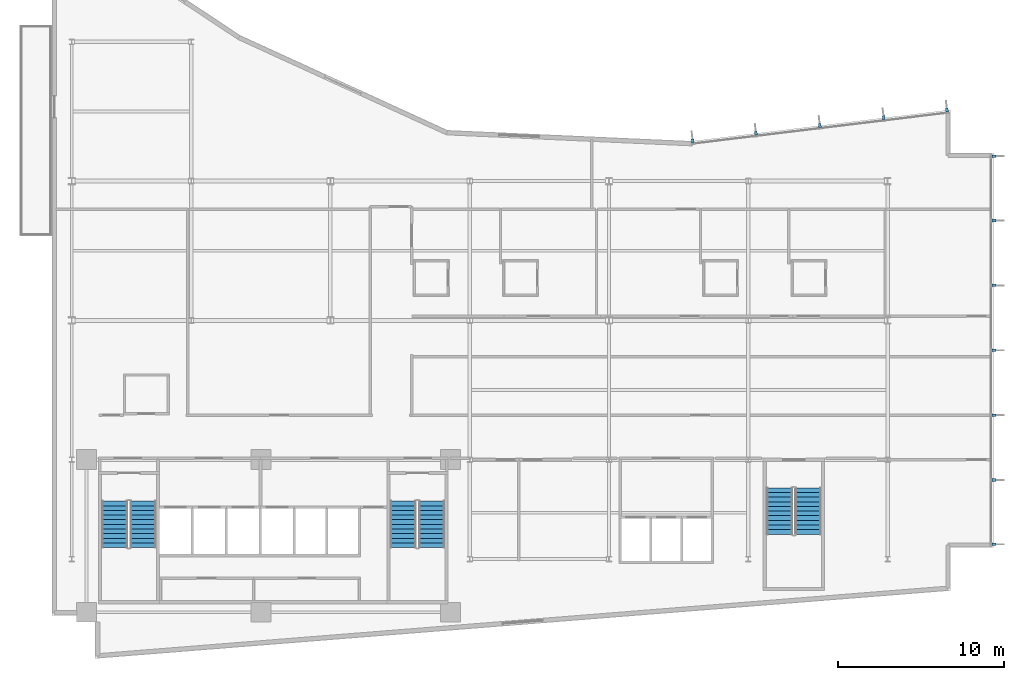
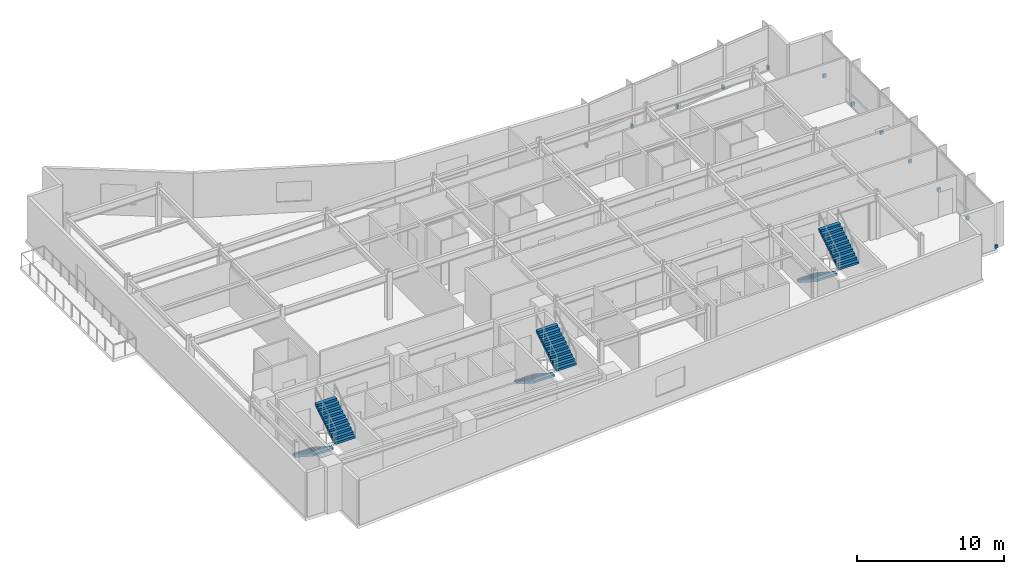
# One storey, part 13 of 18: 12 discrete accessories, 6 stair flights, 3 elements without a shape of their own.
"""IFC4 building model written with IfcOpenShell, lengths in metres."""

from ifc_helpers import new_model, si_unit, direction, frame, origin, origin_2d, place, context, subcontext, project, spatial, polyline, rectangle, outline, extrude, material, layer, layer_set, type_object, element, aggregate, save


model = new_model("IFC4")

# Units and contexts
model_context = context("Model", 3, precision=1e-05, world=origin(), true_north=direction((0.0, 1.0)))
body_context = subcontext(model_context, "Body", "Model", "MODEL_VIEW")
ifc_project = project(units=[si_unit("LENGTHUNIT", "METRE"), si_unit("AREAUNIT", "SQUARE_METRE"), si_unit("VOLUMEUNIT", "CUBIC_METRE"), si_unit("PLANEANGLEUNIT", "RADIAN"), si_unit("MASSUNIT", "GRAM", prefix="KILO")], contexts=[model_context])

# Site, building, storey
site_placement = place(None, origin())
site = spatial("IfcSite", under=ifc_project, at=site_placement, CompositionType="ELEMENT")
building_placement = place(site_placement, origin())
building = spatial("IfcBuilding", under=site, at=building_placement, Name="Varnakote Quay Hospital", CompositionType="ELEMENT")
storey_placement = place(building_placement, frame((0.0, 0.0, 142.85009765625)))
storey = spatial("IfcBuildingStorey", under=building, at=storey_placement, Name="L35", CompositionType="ELEMENT", Elevation=142.85009765625)

# Stair, stair flights
ifc_material_1 = material(Name="Concrete N40 (f'c 40 MPa)", Category="concrete")
stair_type = type_object("IfcStairType", Name="STR-CORE-1580", PredefinedType="HALF_TURN_STAIR", material=ifc_material_1)
stair_1_placement = place(storey_placement, origin())
stair_1 = element("IfcStair", 1, at=stair_1_placement, inside=storey, type_object=stair_type, Name="L35 Fire-Isolated Exit Stair ST-01", PredefinedType="HALF_TURN_STAIR")
ifc_material_2 = material(Name="Concrete N40 (f'c 40 MPa)", Category="concrete")
ifc_layer = layer(ifc_material_2, 0.159912109375)
ifc_layer_set = layer_set([ifc_layer], Name="Concrete N40 (f'c 40 MPa)")
stair_flight_type = type_object("IfcStairFlightType", Name="FLT-CORE-1580", PredefinedType="STRAIGHT", material=ifc_layer_set)
stair_flight_1_placement = place(storey_placement, frame((3.7900390625, 9.5, 0.0), z_axis=(0.0, 0.0, 1.0), x_axis=(0.0, -1.0, 0.0)))
stair_flight_1 = element("IfcStairFlight", 2, at=stair_flight_1_placement, type_object=stair_flight_type, Name="ST-01 flight 1", NumberOfRisers=11, NumberOfTreads=10, PredefinedType="STRAIGHT", RiserHeight=0.179545455, TreadLength=0.28, context=body_context, shape_type="SweptSolid", body=[
    extrude(outline(polyline([(0.0, 0.0), (0.0, 0.179443359375), (0.280029296875, 0.179443359375), (0.280029296875, 0.359130859375), (0.56005859375, 0.359130859375), (0.56005859375, 0.53857421875), (0.840087890625, 0.53857421875), (0.840087890625, 0.71826171875), (1.1201171875, 0.71826171875), (1.1201171875, 0.897705078125), (1.39990234375, 0.897705078125), (1.39990234375, 1.077392578125), (1.679931640625, 1.077392578125), (1.679931640625, 1.2568359375), (1.9599609375, 1.2568359375), (1.9599609375, 1.436279296875), (2.239990234375, 1.436279296875), (2.239990234375, 1.615966796875), (2.52001953125, 1.615966796875), (2.52001953125, 1.79541015625), (2.800048828125, 1.79541015625), (2.800048828125, 1.97509765625), (2.800048828125, 1.60546875), (0.296142578125, 0.0), (0.0, 0.0)])), frame((0.0, 0.7900390625, 0.0), z_axis=(0.0, -1.0, 0.0), x_axis=(1.0, 0.0, 0.0)), (0.0, 0.0, 1.0), 1.580078125),
])
stair_flight_2_placement = place(storey_placement, frame((5.510009765625, 6.699951171875, 1.974853515625), z_axis=(0.0, 0.0, 1.0), x_axis=(0.0, 1.0, 0.0)))
stair_flight_2 = element("IfcStairFlight", 3, at=stair_flight_2_placement, type_object=stair_flight_type, Name="ST-01 flight 2", NumberOfRisers=11, NumberOfTreads=10, PredefinedType="STRAIGHT", RiserHeight=0.179545455, TreadLength=0.28, context=body_context, shape_type="SweptSolid", body=[
    extrude(outline(polyline([(0.0, 0.0), (0.0, 0.179443359375), (0.280029296875, 0.179443359375), (0.280029296875, 0.359130859375), (0.56005859375, 0.359130859375), (0.56005859375, 0.53857421875), (0.840087890625, 0.53857421875), (0.840087890625, 0.71826171875), (1.1201171875, 0.71826171875), (1.1201171875, 0.897705078125), (1.39990234375, 0.897705078125), (1.39990234375, 1.077392578125), (1.679931640625, 1.077392578125), (1.679931640625, 1.2568359375), (1.9599609375, 1.2568359375), (1.9599609375, 1.436279296875), (2.239990234375, 1.436279296875), (2.239990234375, 1.615966796875), (2.52001953125, 1.615966796875), (2.52001953125, 1.79541015625), (2.800048828125, 1.79541015625), (2.800048828125, 1.97509765625), (2.800048828125, 1.60546875), (0.296142578125, 0.0), (0.0, 0.0)])), frame((0.0, 0.7900390625, 0.0), z_axis=(0.0, -1.0, 0.0), x_axis=(1.0, 0.0, 0.0)), (0.0, 0.0, 1.0), 1.580078125),
])
aggregate(stair_1, [stair_flight_1, stair_flight_2])

stair_2_placement = place(storey_placement, origin())
stair_2 = element("IfcStair", 4, at=stair_2_placement, inside=storey, type_object=stair_type, Name="L35 Fire-Isolated Exit Stair ST-02", PredefinedType="HALF_TURN_STAIR")
stair_flight_3_placement = place(storey_placement, frame((21.18994140625, 9.5, 0.0), z_axis=(0.0, 0.0, 1.0), x_axis=(0.0, -1.0, 0.0)))
stair_flight_3 = element("IfcStairFlight", 5, at=stair_flight_3_placement, type_object=stair_flight_type, Name="ST-02 flight 1", NumberOfRisers=11, NumberOfTreads=10, PredefinedType="STRAIGHT", RiserHeight=0.179545455, TreadLength=0.28, context=body_context, shape_type="SweptSolid", body=[
    extrude(outline(polyline([(0.0, 0.0), (0.0, 0.179443359375), (0.280029296875, 0.179443359375), (0.280029296875, 0.359130859375), (0.56005859375, 0.359130859375), (0.56005859375, 0.53857421875), (0.840087890625, 0.53857421875), (0.840087890625, 0.71826171875), (1.1201171875, 0.71826171875), (1.1201171875, 0.897705078125), (1.39990234375, 0.897705078125), (1.39990234375, 1.077392578125), (1.679931640625, 1.077392578125), (1.679931640625, 1.2568359375), (1.9599609375, 1.2568359375), (1.9599609375, 1.436279296875), (2.239990234375, 1.436279296875), (2.239990234375, 1.615966796875), (2.52001953125, 1.615966796875), (2.52001953125, 1.79541015625), (2.800048828125, 1.79541015625), (2.800048828125, 1.97509765625), (2.800048828125, 1.60546875), (0.296142578125, 0.0), (0.0, 0.0)])), frame((0.0, 0.7900390625, 0.0), z_axis=(0.0, -1.0, 0.0), x_axis=(1.0, 0.0, 0.0)), (0.0, 0.0, 1.0), 1.580078125),
])
stair_flight_4_placement = place(storey_placement, frame((22.909912109375, 6.699951171875, 1.974853515625), z_axis=(0.0, 0.0, 1.0), x_axis=(0.0, 1.0, 0.0)))
stair_flight_4 = element("IfcStairFlight", 6, at=stair_flight_4_placement, type_object=stair_flight_type, Name="ST-02 flight 2", NumberOfRisers=11, NumberOfTreads=10, PredefinedType="STRAIGHT", RiserHeight=0.179545455, TreadLength=0.28, context=body_context, shape_type="SweptSolid", body=[
    extrude(outline(polyline([(0.0, 0.0), (0.0, 0.179443359375), (0.280029296875, 0.179443359375), (0.280029296875, 0.359130859375), (0.56005859375, 0.359130859375), (0.56005859375, 0.53857421875), (0.840087890625, 0.53857421875), (0.840087890625, 0.71826171875), (1.1201171875, 0.71826171875), (1.1201171875, 0.897705078125), (1.39990234375, 0.897705078125), (1.39990234375, 1.077392578125), (1.679931640625, 1.077392578125), (1.679931640625, 1.2568359375), (1.9599609375, 1.2568359375), (1.9599609375, 1.436279296875), (2.239990234375, 1.436279296875), (2.239990234375, 1.615966796875), (2.52001953125, 1.615966796875), (2.52001953125, 1.79541015625), (2.800048828125, 1.79541015625), (2.800048828125, 1.97509765625), (2.800048828125, 1.60546875), (0.296142578125, 0.0), (0.0, 0.0)])), frame((0.0, 0.7900390625, 0.0), z_axis=(0.0, -1.0, 0.0), x_axis=(1.0, 0.0, 0.0)), (0.0, 0.0, 1.0), 1.580078125),
])
aggregate(stair_2, [stair_flight_3, stair_flight_4])

stair_3_placement = place(storey_placement, origin())
stair_3 = element("IfcStair", 7, at=stair_3_placement, inside=storey, type_object=stair_type, Name="L35 Fire-Isolated Exit Stair ST-03", PredefinedType="HALF_TURN_STAIR")
stair_flight_5_placement = place(storey_placement, frame((43.889892578125, 10.300048828125, 0.0), z_axis=(0.0, 0.0, 1.0), x_axis=(0.0, -1.0, 0.0)))
stair_flight_5 = element("IfcStairFlight", 8, at=stair_flight_5_placement, type_object=stair_flight_type, Name="ST-03 flight 1", NumberOfRisers=11, NumberOfTreads=10, PredefinedType="STRAIGHT", RiserHeight=0.179545455, TreadLength=0.28, context=body_context, shape_type="SweptSolid", body=[
    extrude(outline(polyline([(0.0, 0.0), (0.0, 0.179443359375), (0.280029296875, 0.179443359375), (0.280029296875, 0.359130859375), (0.56005859375, 0.359130859375), (0.56005859375, 0.53857421875), (0.840087890625, 0.53857421875), (0.840087890625, 0.71826171875), (1.1201171875, 0.71826171875), (1.1201171875, 0.897705078125), (1.39990234375, 0.897705078125), (1.39990234375, 1.077392578125), (1.679931640625, 1.077392578125), (1.679931640625, 1.2568359375), (1.9599609375, 1.2568359375), (1.9599609375, 1.436279296875), (2.239990234375, 1.436279296875), (2.239990234375, 1.615966796875), (2.52001953125, 1.615966796875), (2.52001953125, 1.79541015625), (2.800048828125, 1.79541015625), (2.800048828125, 1.97509765625), (2.800048828125, 1.60546875), (0.296142578125, 0.0), (0.0, 0.0)])), frame((0.0, 0.7900390625, 0.0), z_axis=(0.0, -1.0, 0.0), x_axis=(1.0, 0.0, 0.0)), (0.0, 0.0, 1.0), 1.580078125),
])
stair_flight_6_placement = place(storey_placement, frame((45.610107421875, 7.5, 1.974853515625), z_axis=(0.0, 0.0, 1.0), x_axis=(0.0, 1.0, 0.0)))
stair_flight_6 = element("IfcStairFlight", 9, at=stair_flight_6_placement, type_object=stair_flight_type, Name="ST-03 flight 2", NumberOfRisers=11, NumberOfTreads=10, PredefinedType="STRAIGHT", RiserHeight=0.179545455, TreadLength=0.28, context=body_context, shape_type="SweptSolid", body=[
    extrude(outline(polyline([(0.0, 0.0), (0.0, 0.179443359375), (0.280029296875, 0.179443359375), (0.280029296875, 0.359130859375), (0.56005859375, 0.359130859375), (0.56005859375, 0.53857421875), (0.840087890625, 0.53857421875), (0.840087890625, 0.71826171875), (1.1201171875, 0.71826171875), (1.1201171875, 0.897705078125), (1.39990234375, 0.897705078125), (1.39990234375, 1.077392578125), (1.679931640625, 1.077392578125), (1.679931640625, 1.2568359375), (1.9599609375, 1.2568359375), (1.9599609375, 1.436279296875), (2.239990234375, 1.436279296875), (2.239990234375, 1.615966796875), (2.52001953125, 1.615966796875), (2.52001953125, 1.79541015625), (2.800048828125, 1.79541015625), (2.800048828125, 1.97509765625), (2.800048828125, 1.60546875), (0.296142578125, 0.0), (0.0, 0.0)])), frame((0.0, 0.7900390625, 0.0), z_axis=(0.0, -1.0, 0.0), x_axis=(1.0, 0.0, 0.0)), (0.0, 0.0, 1.0), 1.580078125),
])
aggregate(stair_3, [stair_flight_5, stair_flight_6])

# Discrete accessories
ifc_material_3 = material(Name="Anodised aluminium 6063-T6 Bronze", Category="aluminium")
discrete_accessory_type = type_object("IfcDiscreteAccessoryType", Name="ACC-FIN-BRACKET-180", PredefinedType="BRACKET", material=ifc_material_3)
for number, where, z_axis, x_axis, name in (
    (10, (56.81005859375, 6.8974609375, 0.0), (0.0, 0.0, 1.0), (0.0, 1.0, 0.0), "L35 Curtain Wall Fin Fixing Bracket"),
    (11, (56.81005859375, 10.773193359375, 0.0), (0.0, 0.0, 1.0), (0.0, 1.0, 0.0), "L35 Curtain Wall Fin Fixing Bracket"),
    (12, (56.81005859375, 14.686767578125, 0.0), (0.0, 0.0, 1.0), (0.0, 1.0, 0.0), "L35 Curtain Wall Fin Fixing Bracket"),
    (13, (56.81005859375, 18.60009765625, 0.0), (0.0, 0.0, 1.0), (0.0, 1.0, 0.0), "L35 Curtain Wall Fin Fixing Bracket"),
    (14, (56.81005859375, 22.51318359375, 0.0), (0.0, 0.0, 1.0), (0.0, 1.0, 0.0), "L35 Curtain Wall Fin Fixing Bracket"),
    (15, (56.81005859375, 26.4267578125, 0.0), (0.0, 0.0, 1.0), (0.0, 1.0, 0.0), "L35 Curtain Wall Fin Fixing Bracket"),
    (16, (56.81005859375, 30.302490234375, 0.0), (0.0, 0.0, 1.0), (0.0, 1.0, 0.0), "L35 Curtain Wall Fin Fixing Bracket"),
    (17, (53.982421875, 33.083740234375, 0.0), (0.0, 0.0, 1.0), (-0.992736358975, -0.120310105847, 0.0), "L35 Curtain Wall Fin Fixing Bracket"),
    (18, (50.1669921875, 32.62109375, 0.0), (0.0, 0.0, 1.0), (-0.992736358975, -0.120310105847, 0.0), "L35 Curtain Wall Fin Fixing Bracket"),
    (19, (46.314697265625, 32.154296875, 0.0), (0.0, 0.0, 1.0), (-0.992736358975, -0.120310105847, 0.0), "L35 Curtain Wall Fin Fixing Bracket"),
    (20, (42.462158203125, 31.687255859375, 0.0), (0.0, 0.0, 1.0), (-0.992736358975, -0.120310105847, 0.0), "L35 Curtain Wall Fin Fixing Bracket"),
    (21, (38.64697265625, 31.224853515625, 0.0), (0.0, 0.0, 1.0), (-0.992736358975, -0.120310105847, 0.0), "L35 Curtain Wall Fin Fixing Bracket"),
):
    element("IfcDiscreteAccessory", number, at=place(storey_placement, frame(where, z_axis=z_axis, x_axis=x_axis)), inside=storey, type_object=discrete_accessory_type, Name=name, PredefinedType="BRACKET", context=body_context, shape_type="SweptSolid", body=[
        extrude(rectangle(XDim=0.159912109375, YDim=0.239990234375, at=origin_2d()), origin(), (0.0, 0.0, 1.0), 0.280029296875),
    ])

save(model, "model.ifc")
